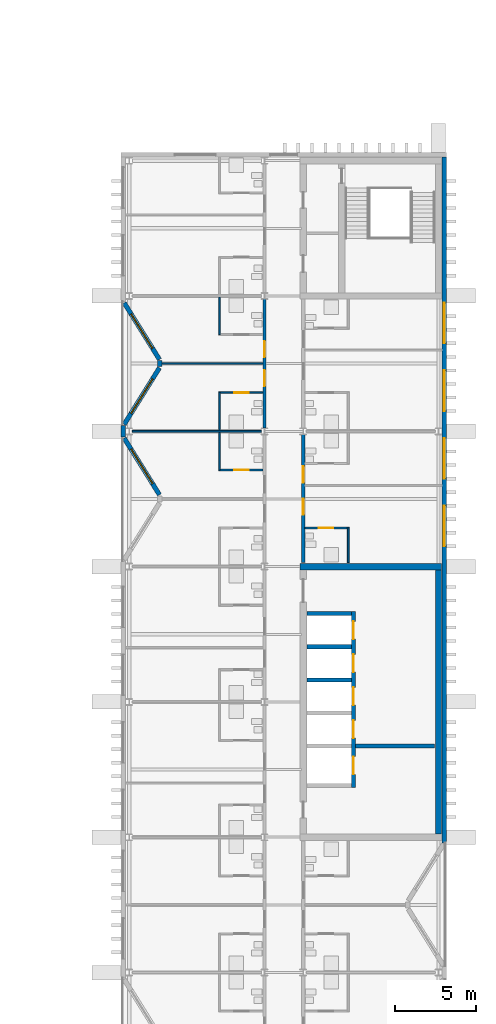
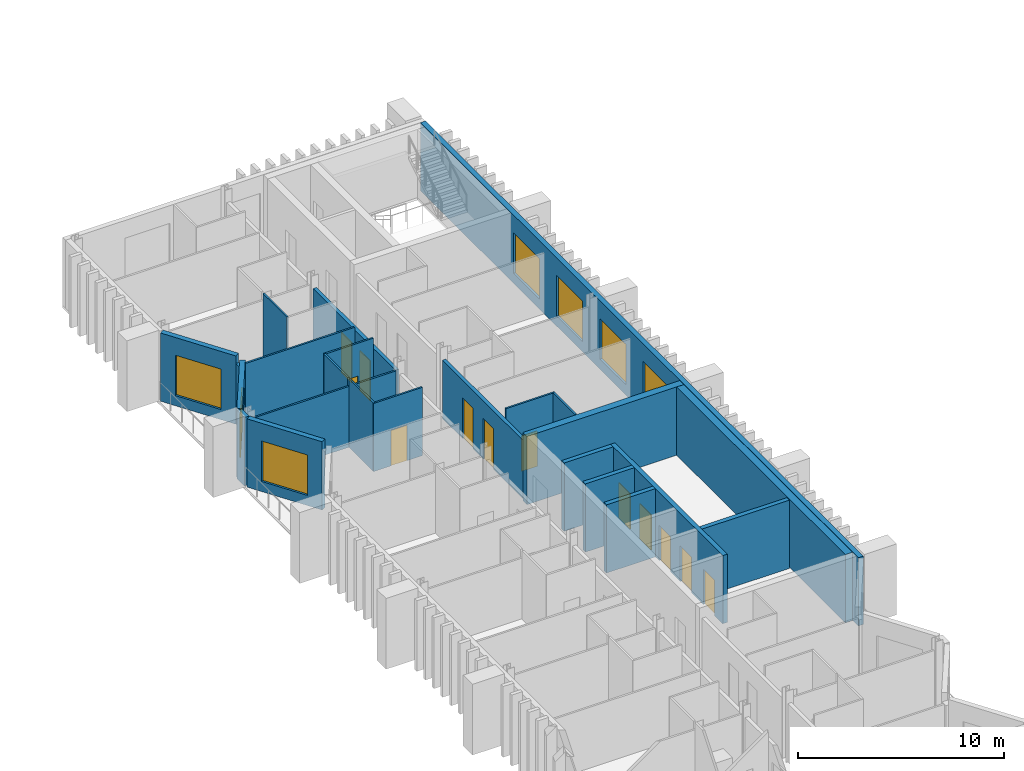
# One storey, part 13 of 21: 24 walls, 12 doors, 7 windows, 19 openings.
"""IFC4 building model written with IfcOpenShell, lengths in metres."""

from ifc_helpers import new_model, si_unit, direction, frame, frame_2d, origin, place, context, subcontext, project, spatial, rectangle, extrude, material, layer, layer_set, type_object, element, fill, save


model = new_model("IFC4")

# Units and contexts
model_context = context("Model", 3, precision=1e-05, world=origin(), true_north=direction((0.0, 1.0)))
body_context = subcontext(model_context, "Body", "Model", "MODEL_VIEW")
ifc_project = project(units=[si_unit("LENGTHUNIT", "METRE"), si_unit("AREAUNIT", "SQUARE_METRE"), si_unit("VOLUMEUNIT", "CUBIC_METRE"), si_unit("PLANEANGLEUNIT", "RADIAN"), si_unit("MASSUNIT", "GRAM", prefix="KILO")], contexts=[model_context])

# Site, building, storey
site_placement = place(None, origin())
site = spatial("IfcSite", under=ifc_project, at=site_placement, CompositionType="ELEMENT")
building_placement = place(site_placement, origin())
building = spatial("IfcBuilding", under=site, at=building_placement, Name="Cresset Court Congress Hotel", CompositionType="ELEMENT")
storey_placement = place(building_placement, frame((0.0, 0.0, 22.800048828125)))
storey = spatial("IfcBuildingStorey", under=building, at=storey_placement, Name="L05", CompositionType="ELEMENT", Elevation=22.800048828125)

# Wall, openings, doors
ifc_material_1 = material(Name="Gypsum board partition")
ifc_layer_1 = layer(ifc_material_1, 0.199951171875)
ifc_layer_set_1 = layer_set([ifc_layer_1], Name="Corridor wall 200")
wall_type_1 = type_object("IfcWallType", Name="Corridor wall 200", PredefinedType="PARTITIONING", material=ifc_layer_set_1)
wall_1_placement = place(storey_placement, frame((165.60009765625, 50.60009765625, 0.0), z_axis=(0.0, 0.0, 1.0), x_axis=(0.0, 1.0, 0.0)))
wall_1 = element("IfcWall", 1, at=wall_1_placement, inside=storey, type_object=wall_type_1, Name="A.wl.L05.076", PredefinedType="PARTITIONING", context=body_context, shape_type="SweptSolid", body=[
    extrude(rectangle(XDim=8.0, YDim=0.199951171875, at=frame_2d((4.0, 0.0))), origin(), (0.0, 0.0, 1.0), 3.449951171875),
])
opening_1_placement = place(wall_1_placement, frame((2.60009765625, 0.0, 0.0)))
opening_1 = element("IfcOpeningElement", 2, at=opening_1_placement, cuts=wall_1, Name="Opening DA-05-26", PredefinedType="OPENING", context=body_context, shape_type="SweptSolid", body=[
    extrude(rectangle(XDim=1.0, YDim=2.39990234375, at=frame_2d((0.5, 1.199951171875))), frame((0.0, 0.10986328125, 0.0), z_axis=(0.0, -1.0, 0.0), x_axis=(1.0, 0.0, 0.0)), (0.0, 0.0, 1.0), 0.219970703125),
])
opening_2_placement = place(wall_1_placement, frame((4.39990234375, 0.0, 0.0)))
opening_2 = element("IfcOpeningElement", 3, at=opening_2_placement, cuts=wall_1, Name="Opening DA-05-28", PredefinedType="OPENING", context=body_context, shape_type="SweptSolid", body=[
    extrude(rectangle(XDim=1.0, YDim=2.39990234375, at=frame_2d((0.5, 1.199951171875))), frame((0.0, 0.10986328125, 0.0), z_axis=(0.0, -1.0, 0.0), x_axis=(1.0, 0.0, 0.0)), (0.0, 0.0, 1.0), 0.219970703125),
])
ifc_material_2 = material(Name="timber", Category="wood")
door_type_1 = type_object("IfcDoorType", Name="Guest-room entry door 1000x2400 FD30S", OperationType="SINGLE_SWING_LEFT", PredefinedType="DOOR", material=ifc_material_2)
door_1_placement = place(opening_1_placement, origin())
door_1 = element("IfcDoor", 4, at=door_1_placement, inside=storey, type_object=door_type_1, Name="Door DA-05-26", OperationType="SINGLE_SWING_RIGHT", OverallHeight=2.39990234375, OverallWidth=1.0, PredefinedType="DOOR", context=body_context, shape_type="SweptSolid", body=[
    extrude(rectangle(XDim=1.0, YDim=2.39990234375, at=frame_2d((0.5, 1.199951171875))), frame((0.0, 0.02490234375, 0.0), z_axis=(0.0, -1.0, 0.0), x_axis=(1.0, 0.0, 0.0)), (0.0, 0.0, 1.0), 0.050048828125),
])
fill(opening_1, door_1)
door_2_placement = place(opening_2_placement, origin())
door_2 = element("IfcDoor", 5, at=door_2_placement, inside=storey, type_object=door_type_1, Name="Door DA-05-28", OperationType="SINGLE_SWING_LEFT", OverallHeight=2.39990234375, OverallWidth=1.0, PredefinedType="DOOR", context=body_context, shape_type="SweptSolid", body=[
    extrude(rectangle(XDim=1.0, YDim=2.39990234375, at=frame_2d((0.5, 1.199951171875))), frame((0.0, 0.02490234375, 0.0), z_axis=(0.0, -1.0, 0.0), x_axis=(1.0, 0.0, 0.0)), (0.0, 0.0, 1.0), 0.050048828125),
])
fill(opening_2, door_2)

wall_2_placement = place(storey_placement, frame((168.0, 42.25, 0.0), z_axis=(0.0, 0.0, 1.0), x_axis=(0.0, 1.0, 0.0)))
wall_2 = element("IfcWall", 6, at=wall_2_placement, inside=storey, type_object=wall_type_1, Name="A.wl.L05.080", PredefinedType="PARTITIONING", context=body_context, shape_type="SweptSolid", body=[
    extrude(rectangle(XDim=7.949951171875, YDim=0.199951171875, at=frame_2d((3.97509765625, 0.0))), origin(), (0.0, 0.0, 1.0), 3.449951171875),
])
opening_3_placement = place(wall_2_placement, frame((2.969970703125, 0.0, 0.0)))
opening_3 = element("IfcOpeningElement", 7, at=opening_3_placement, cuts=wall_2, Name="Opening DA-05-42", PredefinedType="OPENING", context=body_context, shape_type="SweptSolid", body=[
    extrude(rectangle(XDim=1.0, YDim=2.39990234375, at=frame_2d((0.5, 1.199951171875))), frame((0.0, 0.10986328125, 0.0), z_axis=(0.0, -1.0, 0.0), x_axis=(1.0, 0.0, 0.0)), (0.0, 0.0, 1.0), 0.219970703125),
])
opening_4_placement = place(wall_2_placement, frame((4.969970703125, 0.0, 0.0)))
opening_4 = element("IfcOpeningElement", 8, at=opening_4_placement, cuts=wall_2, Name="Opening DA-05-44", PredefinedType="OPENING", context=body_context, shape_type="SweptSolid", body=[
    extrude(rectangle(XDim=1.0, YDim=2.39990234375, at=frame_2d((0.5, 1.199951171875))), frame((0.0, 0.10986328125, 0.0), z_axis=(0.0, -1.0, 0.0), x_axis=(1.0, 0.0, 0.0)), (0.0, 0.0, 1.0), 0.219970703125),
])
door_3_placement = place(opening_3_placement, origin())
door_3 = element("IfcDoor", 9, at=door_3_placement, inside=storey, type_object=door_type_1, Name="Door DA-05-42", OperationType="SINGLE_SWING_RIGHT", OverallHeight=2.39990234375, OverallWidth=1.0, PredefinedType="DOOR", context=body_context, shape_type="SweptSolid", body=[
    extrude(rectangle(XDim=1.0, YDim=2.39990234375, at=frame_2d((0.5, 1.199951171875))), frame((0.0, 0.02490234375, 0.0), z_axis=(0.0, -1.0, 0.0), x_axis=(1.0, 0.0, 0.0)), (0.0, 0.0, 1.0), 0.050048828125),
])
fill(opening_3, door_3)
door_4_placement = place(opening_4_placement, origin())
door_4 = element("IfcDoor", 10, at=door_4_placement, inside=storey, type_object=door_type_1, Name="Door DA-05-44", OperationType="SINGLE_SWING_LEFT", OverallHeight=2.39990234375, OverallWidth=1.0, PredefinedType="DOOR", context=body_context, shape_type="SweptSolid", body=[
    extrude(rectangle(XDim=1.0, YDim=2.39990234375, at=frame_2d((0.5, 1.199951171875))), frame((0.0, 0.02490234375, 0.0), z_axis=(0.0, -1.0, 0.0), x_axis=(1.0, 0.0, 0.0)), (0.0, 0.0, 1.0), 0.050048828125),
])
fill(opening_4, door_4)

# Wall
ifc_material_3 = material(Name="Gypsum board partition")
ifc_layer_2 = layer(ifc_material_3, 0.10009765625)
ifc_layer_set_2 = layer_set([ifc_layer_2], Name="En-suite wall 100")
wall_type_2 = type_object("IfcWallType", Name="En-suite wall 100", PredefinedType="PARTITIONING", material=ifc_layer_set_2)
wall_3_placement = place(storey_placement, frame((162.800048828125, 48.0, 0.0), z_axis=(0.0, 0.0, 1.0), x_axis=(0.0, 1.0, 0.0)))
element("IfcWall", 11, at=wall_3_placement, inside=storey, type_object=wall_type_2, Name="A.wl.L05.023", PredefinedType="PARTITIONING", context=body_context, shape_type="SweptSolid", body=[
    extrude(rectangle(XDim=2.324951171875, YDim=0.10009765625, at=frame_2d((1.16259765625, 0.0))), origin(), (0.0, 0.0, 1.0), 4.050048828125),
])

# Wall, opening, door
wall_4_placement = place(storey_placement, frame((162.75, 48.0, 0.0), z_axis=(0.0, 0.0, 1.0), x_axis=(1.0, 0.0, 0.0)))
wall_4 = element("IfcWall", 12, at=wall_4_placement, inside=storey, type_object=wall_type_2, Name="A.wl.L05.024", PredefinedType="PARTITIONING", context=body_context, shape_type="SweptSolid", body=[
    extrude(rectangle(XDim=2.75, YDim=0.10009765625, at=frame_2d((1.375, 0.0))), origin(), (0.0, 0.0, 1.0), 4.050048828125),
])
opening_5_placement = place(wall_4_placement, frame((0.97998046875, 0.0, 0.0)))
opening_5 = element("IfcOpeningElement", 13, at=opening_5_placement, cuts=wall_4, Name="Opening DA-05-23", PredefinedType="OPENING", context=body_context, shape_type="SweptSolid", body=[
    extrude(rectangle(XDim=0.89990234375, YDim=2.10009765625, at=frame_2d((0.449951171875, 1.050048828125))), frame((0.0, 0.06005859375, 0.0), z_axis=(0.0, -1.0, 0.0), x_axis=(1.0, 0.0, 0.0)), (0.0, 0.0, 1.0), 0.1201171875),
])
ifc_material_4 = material(Name="timber", Category="wood")
door_type_2 = type_object("IfcDoorType", Name="En-suite door 900x2100", OperationType="SINGLE_SWING_LEFT", PredefinedType="DOOR", material=ifc_material_4)
door_5_placement = place(opening_5_placement, origin())
door_5 = element("IfcDoor", 14, at=door_5_placement, inside=storey, type_object=door_type_2, Name="Door DA-05-23", OperationType="SINGLE_SWING_LEFT", OverallHeight=2.10009765625, OverallWidth=0.89990234375, PredefinedType="DOOR", context=body_context, shape_type="SweptSolid", body=[
    extrude(rectangle(XDim=0.89990234375, YDim=2.10009765625, at=frame_2d((0.449951171875, 1.050048828125))), frame((0.0, 0.02490234375, 0.0), z_axis=(0.0, -1.0, 0.0), x_axis=(1.0, 0.0, 0.0)), (0.0, 0.0, 1.0), 0.050048828125),
])
fill(opening_5, door_5)

# Wall
wall_5_placement = place(storey_placement, frame((162.800048828125, 50.47509765625, 0.0), z_axis=(0.0, 0.0, 1.0), x_axis=(0.0, 1.0, 0.0)))
element("IfcWall", 15, at=wall_5_placement, inside=storey, type_object=wall_type_2, Name="A.wl.L05.025", PredefinedType="PARTITIONING", context=body_context, shape_type="SweptSolid", body=[
    extrude(rectangle(XDim=2.324951171875, YDim=0.10009765625, at=frame_2d((1.16259765625, 0.0))), origin(), (0.0, 0.0, 1.0), 4.050048828125),
])

# Wall, opening, door
wall_6_placement = place(storey_placement, frame((162.75, 52.800048828125, 0.0), z_axis=(0.0, 0.0, 1.0), x_axis=(1.0, 0.0, 0.0)))
wall_6 = element("IfcWall", 16, at=wall_6_placement, inside=storey, type_object=wall_type_2, Name="A.wl.L05.026", PredefinedType="PARTITIONING", context=body_context, shape_type="SweptSolid", body=[
    extrude(rectangle(XDim=2.75, YDim=0.10009765625, at=frame_2d((1.375, 0.0))), origin(), (0.0, 0.0, 1.0), 4.050048828125),
])
opening_6_placement = place(wall_6_placement, frame((0.97998046875, 0.0, 0.0)))
opening_6 = element("IfcOpeningElement", 17, at=opening_6_placement, cuts=wall_6, Name="Opening DA-05-25", PredefinedType="OPENING", context=body_context, shape_type="SweptSolid", body=[
    extrude(rectangle(XDim=0.89990234375, YDim=2.10009765625, at=frame_2d((0.449951171875, 1.050048828125))), frame((0.0, 0.06005859375, 0.0), z_axis=(0.0, -1.0, 0.0), x_axis=(1.0, 0.0, 0.0)), (0.0, 0.0, 1.0), 0.1201171875),
])
door_6_placement = place(opening_6_placement, origin())
door_6 = element("IfcDoor", 18, at=door_6_placement, inside=storey, type_object=door_type_2, Name="Door DA-05-25", OperationType="SINGLE_SWING_RIGHT", OverallHeight=2.10009765625, OverallWidth=0.89990234375, PredefinedType="DOOR", context=body_context, shape_type="SweptSolid", body=[
    extrude(rectangle(XDim=0.89990234375, YDim=2.10009765625, at=frame_2d((0.449951171875, 1.050048828125))), frame((0.0, 0.02490234375, 0.0), z_axis=(0.0, -1.0, 0.0), x_axis=(1.0, 0.0, 0.0)), (0.0, 0.0, 1.0), 0.050048828125),
])
fill(opening_6, door_6)

# Walls
wall_7_placement = place(storey_placement, frame((162.800048828125, 56.39990234375, 0.0), z_axis=(0.0, 0.0, 1.0), x_axis=(0.0, 1.0, 0.0)))
element("IfcWall", 19, at=wall_7_placement, inside=storey, type_object=wall_type_2, Name="A.wl.L05.027", PredefinedType="PARTITIONING", context=body_context, shape_type="SweptSolid", body=[
    extrude(rectangle(XDim=2.3251953125, YDim=0.10009765625, at=frame_2d((1.16259765625, 0.0))), origin(), (0.0, 0.0, 1.0), 4.050048828125),
])
wall_8_placement = place(storey_placement, frame((170.800048828125, 42.25, 0.0), z_axis=(0.0, 0.0, 1.0), x_axis=(0.0, 1.0, 0.0)))
element("IfcWall", 20, at=wall_8_placement, inside=storey, type_object=wall_type_2, Name="A.wl.L05.041", PredefinedType="PARTITIONING", context=body_context, shape_type="SweptSolid", body=[
    extrude(rectangle(XDim=2.14990234375, YDim=0.10009765625, at=frame_2d((1.074951171875, 0.0))), origin(), (0.0, 0.0, 1.0), 4.050048828125),
])

# Wall, opening, door
wall_9_placement = place(storey_placement, frame((170.85009765625, 44.39990234375, 0.0), z_axis=(0.0, 0.0, 1.0), x_axis=(-1.0, 0.0, 0.0)))
wall_9 = element("IfcWall", 21, at=wall_9_placement, inside=storey, type_object=wall_type_2, Name="A.wl.L05.042", PredefinedType="PARTITIONING", context=body_context, shape_type="SweptSolid", body=[
    extrude(rectangle(XDim=2.75, YDim=0.10009765625, at=frame_2d((1.375, 0.0))), origin(), (0.0, 0.0, 1.0), 4.050048828125),
])
opening_7_placement = place(wall_9_placement, frame((0.97998046875, 0.0, 0.0)))
opening_7 = element("IfcOpeningElement", 22, at=opening_7_placement, cuts=wall_9, Name="Opening DA-05-41", PredefinedType="OPENING", context=body_context, shape_type="SweptSolid", body=[
    extrude(rectangle(XDim=0.89990234375, YDim=2.10009765625, at=frame_2d((0.449951171875, 1.050048828125))), frame((0.0, 0.06005859375, 0.0), z_axis=(0.0, -1.0, 0.0), x_axis=(1.0, 0.0, 0.0)), (0.0, 0.0, 1.0), 0.1201171875),
])
door_7_placement = place(opening_7_placement, origin())
door_7 = element("IfcDoor", 23, at=door_7_placement, inside=storey, type_object=door_type_2, Name="Door DA-05-41", OperationType="SINGLE_SWING_RIGHT", OverallHeight=2.10009765625, OverallWidth=0.89990234375, PredefinedType="DOOR", context=body_context, shape_type="SweptSolid", body=[
    extrude(rectangle(XDim=0.89990234375, YDim=2.10009765625, at=frame_2d((0.449951171875, 1.050048828125))), frame((0.0, 0.02490234375, 0.0), z_axis=(0.0, -1.0, 0.0), x_axis=(1.0, 0.0, 0.0)), (0.0, 0.0, 1.0), 0.050048828125),
])
fill(opening_7, door_7)

# Wall, opening, window
ifc_material_5 = material(Name="Precast concrete C50", Category="concrete")
ifc_layer_3 = layer(ifc_material_5, 0.280029296875)
ifc_layer_set_3 = layer_set([ifc_layer_3], Name="External wall 280")
wall_type_3 = type_object("IfcWallType", Name="External wall 280", PredefinedType="SOLIDWALL", material=ifc_layer_set_3)
wall_10_placement = place(storey_placement, frame((159.07861328125, 46.458984375, 0.0), z_axis=(0.0, 0.0, 1.0), x_axis=(-0.529018946142, 0.848610013271, 0.0)))
wall_10 = element("IfcWall", 24, at=wall_10_placement, inside=storey, type_object=wall_type_3, Name="A.ew.L05.Wn.5.1", PredefinedType="SOLIDWALL", context=body_context, shape_type="SweptSolid", body=[
    extrude(rectangle(XDim=4.144287109375, YDim=0.280029296875, at=frame_2d((2.072265625, 0.0))), origin(), (0.0, 0.0, 1.0), 4.050048828125),
])
opening_8_placement = place(wall_10_placement, frame((0.812255859375, 0.0, 0.60009765625)))
opening_8 = element("IfcOpeningElement", 25, at=opening_8_placement, cuts=wall_10, Name="Opening NA-05-12", PredefinedType="OPENING", context=body_context, shape_type="SweptSolid", body=[
    extrude(rectangle(XDim=2.52001953125, YDim=2.39990234375, at=frame_2d((1.260009765625, 1.199951171875))), frame((0.0, 0.14990234375, 0.0), z_axis=(0.0, -1.0, 0.0), x_axis=(1.0, 0.0, 0.0)), (0.0, 0.0, 1.0), 0.300048828125),
])
ifc_material_6 = material(Name="Aluminium and glass", Category="aluminium")
window_type = type_object("IfcWindowType", Name="Window 2520x2400", PartitioningType="SINGLE_PANEL", PredefinedType="WINDOW", material=ifc_material_6)
window_1_placement = place(opening_8_placement, origin())
window_1 = element("IfcWindow", 26, at=window_1_placement, inside=storey, type_object=window_type, Name="Window NA-05-12", OverallHeight=2.39990234375, OverallWidth=2.52001953125, PartitioningType="SINGLE_PANEL", PredefinedType="WINDOW", context=body_context, shape_type="SweptSolid", body=[
    extrude(rectangle(XDim=2.52001953125, YDim=2.39990234375, at=frame_2d((1.260009765625, 1.199951171875))), frame((0.0, 0.030029296875, 0.0), z_axis=(0.0, -1.0, 0.0), x_axis=(1.0, 0.0, 0.0)), (0.0, 0.0, 1.0), 0.06005859375),
])
fill(opening_8, window_1)

# Wall
wall_11_placement = place(storey_placement, frame((156.840087890625, 50.050048828125, 0.0), z_axis=(0.0, 0.0, 1.0), x_axis=(0.0, 1.0, 0.0)))
element("IfcWall", 27, at=wall_11_placement, inside=storey, type_object=wall_type_3, Name="A.ew.L05.W.4", PredefinedType="SOLIDWALL", context=body_context, shape_type="SweptSolid", body=[
    extrude(rectangle(XDim=0.699951171875, YDim=0.280029296875, at=frame_2d((0.35009765625, 0.0))), origin(), (0.0, 0.0, 1.0), 4.050048828125),
])

# Wall, opening, window
wall_12_placement = place(storey_placement, frame((156.88623046875, 50.82421875, 0.0), z_axis=(0.0, 0.0, 1.0), x_axis=(0.529018946142, 0.848610013271, 0.0)))
wall_12 = element("IfcWall", 28, at=wall_12_placement, inside=storey, type_object=wall_type_3, Name="A.ew.L05.Wn.6.0", PredefinedType="SOLIDWALL", context=body_context, shape_type="SweptSolid", body=[
    extrude(rectangle(XDim=4.144287109375, YDim=0.280029296875, at=frame_2d((2.072265625, 0.0))), origin(), (0.0, 0.0, 1.0), 4.050048828125),
])
opening_9_placement = place(wall_12_placement, frame((0.812255859375, 0.0, 0.60009765625)))
opening_9 = element("IfcOpeningElement", 29, at=opening_9_placement, cuts=wall_12, Name="Opening NA-05-13", PredefinedType="OPENING", context=body_context, shape_type="SweptSolid", body=[
    extrude(rectangle(XDim=2.52001953125, YDim=2.39990234375, at=frame_2d((1.260009765625, 1.199951171875))), frame((0.0, 0.14990234375, 0.0), z_axis=(0.0, -1.0, 0.0), x_axis=(1.0, 0.0, 0.0)), (0.0, 0.0, 1.0), 0.300048828125),
])
window_2_placement = place(opening_9_placement, origin())
window_2 = element("IfcWindow", 30, at=window_2_placement, inside=storey, type_object=window_type, Name="Window NA-05-13", OverallHeight=2.39990234375, OverallWidth=2.52001953125, PartitioningType="SINGLE_PANEL", PredefinedType="WINDOW", context=body_context, shape_type="SweptSolid", body=[
    extrude(rectangle(XDim=2.52001953125, YDim=2.39990234375, at=frame_2d((1.260009765625, 1.199951171875))), frame((0.0, 0.030029296875, 0.0), z_axis=(0.0, -1.0, 0.0), x_axis=(1.0, 0.0, 0.0)), (0.0, 0.0, 1.0), 0.06005859375),
])
fill(opening_9, window_2)

wall_13_placement = place(storey_placement, frame((159.07861328125, 54.85888671875, 0.0), z_axis=(0.0, 0.0, 1.0), x_axis=(-0.528992500338, 0.848626498871, 0.0)))
wall_13 = element("IfcWall", 31, at=wall_13_placement, inside=storey, type_object=wall_type_3, Name="A.ew.L05.Wn.6.1", PredefinedType="SOLIDWALL", context=body_context, shape_type="SweptSolid", body=[
    extrude(rectangle(XDim=4.14453125, YDim=0.280029296875, at=frame_2d((2.072265625, 0.0))), origin(), (0.0, 0.0, 1.0), 4.050048828125),
])
opening_10_placement = place(wall_13_placement, frame((0.812255859375, 0.0, 0.60009765625)))
opening_10 = element("IfcOpeningElement", 32, at=opening_10_placement, cuts=wall_13, Name="Opening NA-05-14", PredefinedType="OPENING", context=body_context, shape_type="SweptSolid", body=[
    extrude(rectangle(XDim=2.52001953125, YDim=2.39990234375, at=frame_2d((1.260009765625, 1.199951171875))), frame((0.0, 0.14990234375, 0.0), z_axis=(0.0, -1.0, 0.0), x_axis=(1.0, 0.0, 0.0)), (0.0, 0.0, 1.0), 0.300048828125),
])
window_3_placement = place(opening_10_placement, origin())
window_3 = element("IfcWindow", 33, at=window_3_placement, inside=storey, type_object=window_type, Name="Window NA-05-14", OverallHeight=2.39990234375, OverallWidth=2.52001953125, PartitioningType="SINGLE_PANEL", PredefinedType="WINDOW", context=body_context, shape_type="SweptSolid", body=[
    extrude(rectangle(XDim=2.52001953125, YDim=2.39990234375, at=frame_2d((1.260009765625, 1.199951171875))), frame((0.0, 0.030029296875, 0.0), z_axis=(0.0, -1.0, 0.0), x_axis=(1.0, 0.0, 0.0)), (0.0, 0.0, 1.0), 0.06005859375),
])
fill(opening_10, window_3)

# Wall
wall_14_placement = place(storey_placement, frame((159.099609375, 54.4150390625, 0.0), z_axis=(0.0, 0.0, 1.0), x_axis=(0.0, 1.0, 0.0)))
element("IfcWall", 34, at=wall_14_placement, inside=storey, type_object=wall_type_3, Name="A.ew.L05.Wn.6.2", PredefinedType="SOLIDWALL", context=body_context, shape_type="SweptSolid", body=[
    extrude(rectangle(XDim=0.369873046875, YDim=0.280029296875, at=frame_2d((0.18505859375, 0.0))), origin(), (0.0, 0.0, 1.0), 3.60400390625),
])

# Wall, openings, windows
wall_15_placement = place(storey_placement, frame((176.760009765625, 24.85009765625, 0.0), z_axis=(0.0, 0.0, 1.0), x_axis=(0.0, 1.0, 0.0)))
wall_15 = element("IfcWall", 35, at=wall_15_placement, inside=storey, type_object=wall_type_3, Name="A.ew.L05.E.3", PredefinedType="SOLIDWALL", context=body_context, shape_type="SweptSolid", body=[
    extrude(rectangle(XDim=42.56982421875, YDim=0.280029296875, at=frame_2d((21.284912109375, 0.0))), origin(), (0.0, 0.0, 1.0), 4.050048828125),
])
opening_11_placement = place(wall_15_placement, frame((18.409912109375, 0.0, 0.60009765625)))
opening_11 = element("IfcOpeningElement", 36, at=opening_11_placement, cuts=wall_15, Name="Opening NA-05-21", PredefinedType="OPENING", context=body_context, shape_type="SweptSolid", body=[
    extrude(rectangle(XDim=2.52001953125, YDim=2.39990234375, at=frame_2d((1.260009765625, 1.199951171875))), frame((0.0, 0.14990234375, 0.0), z_axis=(0.0, -1.0, 0.0), x_axis=(1.0, 0.0, 0.0)), (0.0, 0.0, 1.0), 0.300048828125),
])
opening_12_placement = place(wall_15_placement, frame((22.610107421875, 0.0, 0.60009765625)))
opening_12 = element("IfcOpeningElement", 37, at=opening_12_placement, cuts=wall_15, Name="Opening NA-05-22", PredefinedType="OPENING", context=body_context, shape_type="SweptSolid", body=[
    extrude(rectangle(XDim=2.52001953125, YDim=2.39990234375, at=frame_2d((1.260009765625, 1.199951171875))), frame((0.0, 0.14990234375, 0.0), z_axis=(0.0, -1.0, 0.0), x_axis=(1.0, 0.0, 0.0)), (0.0, 0.0, 1.0), 0.300048828125),
])
opening_13_placement = place(wall_15_placement, frame((26.81005859375, 0.0, 0.60009765625)))
opening_13 = element("IfcOpeningElement", 38, at=opening_13_placement, cuts=wall_15, Name="Opening NA-05-23", PredefinedType="OPENING", context=body_context, shape_type="SweptSolid", body=[
    extrude(rectangle(XDim=2.52001953125, YDim=2.39990234375, at=frame_2d((1.260009765625, 1.199951171875))), frame((0.0, 0.14990234375, 0.0), z_axis=(0.0, -1.0, 0.0), x_axis=(1.0, 0.0, 0.0)), (0.0, 0.0, 1.0), 0.300048828125),
])
opening_14_placement = place(wall_15_placement, frame((31.010009765625, 0.0, 0.60009765625)))
opening_14 = element("IfcOpeningElement", 39, at=opening_14_placement, cuts=wall_15, Name="Opening NA-05-24", PredefinedType="OPENING", context=body_context, shape_type="SweptSolid", body=[
    extrude(rectangle(XDim=2.52001953125, YDim=2.39990234375, at=frame_2d((1.260009765625, 1.199951171875))), frame((0.0, 0.14990234375, 0.0), z_axis=(0.0, -1.0, 0.0), x_axis=(1.0, 0.0, 0.0)), (0.0, 0.0, 1.0), 0.300048828125),
])
window_4_placement = place(opening_11_placement, origin())
window_4 = element("IfcWindow", 40, at=window_4_placement, inside=storey, type_object=window_type, Name="Window NA-05-21", OverallHeight=2.39990234375, OverallWidth=2.52001953125, PartitioningType="SINGLE_PANEL", PredefinedType="WINDOW", context=body_context, shape_type="SweptSolid", body=[
    extrude(rectangle(XDim=2.52001953125, YDim=2.39990234375, at=frame_2d((1.260009765625, 1.199951171875))), frame((0.0, 0.030029296875, 0.0), z_axis=(0.0, -1.0, 0.0), x_axis=(1.0, 0.0, 0.0)), (0.0, 0.0, 1.0), 0.06005859375),
])
fill(opening_11, window_4)
window_5_placement = place(opening_12_placement, origin())
window_5 = element("IfcWindow", 41, at=window_5_placement, inside=storey, type_object=window_type, Name="Window NA-05-22", OverallHeight=2.39990234375, OverallWidth=2.52001953125, PartitioningType="SINGLE_PANEL", PredefinedType="WINDOW", context=body_context, shape_type="SweptSolid", body=[
    extrude(rectangle(XDim=2.52001953125, YDim=2.39990234375, at=frame_2d((1.260009765625, 1.199951171875))), frame((0.0, 0.030029296875, 0.0), z_axis=(0.0, -1.0, 0.0), x_axis=(1.0, 0.0, 0.0)), (0.0, 0.0, 1.0), 0.06005859375),
])
fill(opening_12, window_5)
window_6_placement = place(opening_13_placement, origin())
window_6 = element("IfcWindow", 42, at=window_6_placement, inside=storey, type_object=window_type, Name="Window NA-05-23", OverallHeight=2.39990234375, OverallWidth=2.52001953125, PartitioningType="SINGLE_PANEL", PredefinedType="WINDOW", context=body_context, shape_type="SweptSolid", body=[
    extrude(rectangle(XDim=2.52001953125, YDim=2.39990234375, at=frame_2d((1.260009765625, 1.199951171875))), frame((0.0, 0.030029296875, 0.0), z_axis=(0.0, -1.0, 0.0), x_axis=(1.0, 0.0, 0.0)), (0.0, 0.0, 1.0), 0.06005859375),
])
fill(opening_13, window_6)
window_7_placement = place(opening_14_placement, origin())
window_7 = element("IfcWindow", 43, at=window_7_placement, inside=storey, type_object=window_type, Name="Window NA-05-24", OverallHeight=2.39990234375, OverallWidth=2.52001953125, PartitioningType="SINGLE_PANEL", PredefinedType="WINDOW", context=body_context, shape_type="SweptSolid", body=[
    extrude(rectangle(XDim=2.52001953125, YDim=2.39990234375, at=frame_2d((1.260009765625, 1.199951171875))), frame((0.0, 0.030029296875, 0.0), z_axis=(0.0, -1.0, 0.0), x_axis=(1.0, 0.0, 0.0)), (0.0, 0.0, 1.0), 0.06005859375),
])
fill(opening_14, window_7)

# Walls
ifc_material_7 = material(Name="Gypsum board partition")
ifc_layer_4 = layer(ifc_material_7, 0.10009765625)
ifc_layer_set_4 = layer_set([ifc_layer_4], Name="Guest-room partition 100")
wall_type_4 = type_object("IfcWallType", Name="Guest-room partition 100", PredefinedType="PARTITIONING", material=ifc_layer_set_4)
wall_16_placement = place(storey_placement, frame((157.39990234375, 50.39990234375, 0.0), z_axis=(0.0, 0.0, 1.0), x_axis=(1.0, 0.0, 0.0)))
element("IfcWall", 44, at=wall_16_placement, inside=storey, type_object=wall_type_4, Name="A.wl.L05.054", PredefinedType="PARTITIONING", context=body_context, shape_type="SweptSolid", body=[
    extrude(rectangle(XDim=8.0, YDim=0.10009765625, at=frame_2d((4.0, 0.0))), origin(), (0.0, 0.0, 1.0), 3.60400390625),
])
wall_17_placement = place(storey_placement, frame((159.23974609375, 54.60009765625, 0.0), z_axis=(0.0, 0.0, 1.0), x_axis=(1.0, 0.0, 0.0)))
element("IfcWall", 45, at=wall_17_placement, inside=storey, type_object=wall_type_4, Name="A.wl.L05.064", PredefinedType="PARTITIONING", context=body_context, shape_type="SweptSolid", body=[
    extrude(rectangle(XDim=6.26025390625, YDim=0.10009765625, at=frame_2d((3.130126953125, 0.0))), origin(), (0.0, 0.0, 1.0), 3.60400390625),
])
ifc_material_8 = material(Name="Concrete C50", Category="concrete")
ifc_layer_5 = layer(ifc_material_8, 0.39990234375)
ifc_layer_set_5 = layer_set([ifc_layer_5], Name="Lift core wall 400")
wall_type_5 = type_object("IfcWallType", Name="Lift core wall 400", PredefinedType="SOLIDWALL", material=ifc_layer_set_5)
wall_18_placement = place(storey_placement, frame((167.800048828125, 42.0, 0.0), z_axis=(0.0, 0.0, 1.0), x_axis=(1.0, 0.0, 0.0)))
element("IfcWall", 46, at=wall_18_placement, inside=storey, type_object=wall_type_5, Name="A.cw.LC-A.L05.N", PredefinedType="SOLIDWALL", context=body_context, shape_type="SweptSolid", body=[
    extrude(rectangle(XDim=8.800048828125, YDim=0.39990234375, at=frame_2d((4.39990234375, 0.0))), origin(), (0.0, 0.0, 1.0), 4.050048828125),
])
wall_19_placement = place(storey_placement, frame((176.39990234375, 25.39990234375, 0.0), z_axis=(0.0, 0.0, 1.0), x_axis=(0.0, 1.0, 0.0)))
element("IfcWall", 47, at=wall_19_placement, inside=storey, type_object=wall_type_5, Name="A.cw.LC-A.L05.E", PredefinedType="SOLIDWALL", context=body_context, shape_type="SweptSolid", body=[
    extrude(rectangle(XDim=16.400146484375, YDim=0.39990234375, at=frame_2d((8.2001953125, 0.0))), origin(), (0.0, 0.0, 1.0), 4.050048828125),
])

# Wall, openings, doors
ifc_material_9 = material(Name="Concrete C50", Category="concrete")
ifc_layer_6 = layer(ifc_material_9, 0.25)
ifc_layer_set_6 = layer_set([ifc_layer_6], Name="Lift shaft wall 250")
wall_type_6 = type_object("IfcWallType", Name="Lift shaft wall 250", PredefinedType="SOLIDWALL", material=ifc_layer_set_6)
wall_20_placement = place(storey_placement, frame((171.125, 28.300048828125, 0.0), z_axis=(0.0, 0.0, 1.0), x_axis=(0.0, 1.0, 0.0)))
wall_20 = element("IfcWall", 48, at=wall_20_placement, inside=storey, type_object=wall_type_6, Name="A.wl.L05.086", PredefinedType="SOLIDWALL", context=body_context, shape_type="SweptSolid", body=[
    extrude(rectangle(XDim=10.89990234375, YDim=0.25, at=frame_2d((5.449951171875, 0.0))), origin(), (0.0, 0.0, 1.0), 4.050048828125),
])
opening_15_placement = place(wall_20_placement, frame((0.800048828125, 0.0, 0.0)))
opening_15 = element("IfcOpeningElement", 49, at=opening_15_placement, cuts=wall_20, Name="Opening LD-A1-05", PredefinedType="OPENING", context=body_context, shape_type="SweptSolid", body=[
    extrude(rectangle(XDim=1.10009765625, YDim=2.10009765625, at=frame_2d((0.550048828125, 1.050048828125))), frame((0.0, 0.135009765625, 0.0), z_axis=(0.0, -1.0, 0.0), x_axis=(1.0, 0.0, 0.0)), (0.0, 0.0, 1.0), 0.27001953125),
])
opening_16_placement = place(wall_20_placement, frame((3.050048828125, 0.0, 0.0)))
opening_16 = element("IfcOpeningElement", 50, at=opening_16_placement, cuts=wall_20, Name="Opening LD-A2-05", PredefinedType="OPENING", context=body_context, shape_type="SweptSolid", body=[
    extrude(rectangle(XDim=1.10009765625, YDim=2.10009765625, at=frame_2d((0.550048828125, 1.050048828125))), frame((0.0, 0.135009765625, 0.0), z_axis=(0.0, -1.0, 0.0), x_axis=(1.0, 0.0, 0.0)), (0.0, 0.0, 1.0), 0.27001953125),
])
opening_17_placement = place(wall_20_placement, frame((5.10009765625, 0.0, 0.0)))
opening_17 = element("IfcOpeningElement", 51, at=opening_17_placement, cuts=wall_20, Name="Opening LD-A3-05", PredefinedType="OPENING", context=body_context, shape_type="SweptSolid", body=[
    extrude(rectangle(XDim=1.10009765625, YDim=2.10009765625, at=frame_2d((0.550048828125, 1.050048828125))), frame((0.0, 0.135009765625, 0.0), z_axis=(0.0, -1.0, 0.0), x_axis=(1.0, 0.0, 0.0)), (0.0, 0.0, 1.0), 0.27001953125),
])
opening_18_placement = place(wall_20_placement, frame((7.14990234375, 0.0, 0.0)))
opening_18 = element("IfcOpeningElement", 52, at=opening_18_placement, cuts=wall_20, Name="Opening LD-A4-05", PredefinedType="OPENING", context=body_context, shape_type="SweptSolid", body=[
    extrude(rectangle(XDim=1.10009765625, YDim=2.10009765625, at=frame_2d((0.550048828125, 1.050048828125))), frame((0.0, 0.135009765625, 0.0), z_axis=(0.0, -1.0, 0.0), x_axis=(1.0, 0.0, 0.0)), (0.0, 0.0, 1.0), 0.27001953125),
])
opening_19_placement = place(wall_20_placement, frame((9.199951171875, 0.0, 0.0)))
opening_19 = element("IfcOpeningElement", 53, at=opening_19_placement, cuts=wall_20, Name="Opening LD-A5-05", PredefinedType="OPENING", context=body_context, shape_type="SweptSolid", body=[
    extrude(rectangle(XDim=1.10009765625, YDim=2.10009765625, at=frame_2d((0.550048828125, 1.050048828125))), frame((0.0, 0.135009765625, 0.0), z_axis=(0.0, -1.0, 0.0), x_axis=(1.0, 0.0, 0.0)), (0.0, 0.0, 1.0), 0.27001953125),
])
ifc_material_10 = material(Name="stainless steel", Category="steel")
door_type_3 = type_object("IfcDoorType", Name="Lift landing door 1100x2100 E 60", OperationType="SLIDING_TO_LEFT", PredefinedType="DOOR", material=ifc_material_10)
door_8_placement = place(opening_15_placement, origin())
door_8 = element("IfcDoor", 54, at=door_8_placement, inside=storey, type_object=door_type_3, Name="Lift landing door LD-A1-05", OperationType="SLIDING_TO_LEFT", OverallHeight=2.10009765625, OverallWidth=1.10009765625, PredefinedType="DOOR", context=body_context, shape_type="SweptSolid", body=[
    extrude(rectangle(XDim=1.10009765625, YDim=2.10009765625, at=frame_2d((0.550048828125, 1.050048828125))), frame((0.0, 0.02490234375, 0.0), z_axis=(0.0, -1.0, 0.0), x_axis=(1.0, 0.0, 0.0)), (0.0, 0.0, 1.0), 0.050048828125),
])
fill(opening_15, door_8)
door_9_placement = place(opening_16_placement, origin())
door_9 = element("IfcDoor", 55, at=door_9_placement, inside=storey, type_object=door_type_3, Name="Lift landing door LD-A2-05", OperationType="SLIDING_TO_LEFT", OverallHeight=2.10009765625, OverallWidth=1.10009765625, PredefinedType="DOOR", context=body_context, shape_type="SweptSolid", body=[
    extrude(rectangle(XDim=1.10009765625, YDim=2.10009765625, at=frame_2d((0.550048828125, 1.050048828125))), frame((0.0, 0.02490234375, 0.0), z_axis=(0.0, -1.0, 0.0), x_axis=(1.0, 0.0, 0.0)), (0.0, 0.0, 1.0), 0.050048828125),
])
fill(opening_16, door_9)
door_10_placement = place(opening_17_placement, origin())
door_10 = element("IfcDoor", 56, at=door_10_placement, inside=storey, type_object=door_type_3, Name="Lift landing door LD-A3-05", OperationType="SLIDING_TO_LEFT", OverallHeight=2.10009765625, OverallWidth=1.10009765625, PredefinedType="DOOR", context=body_context, shape_type="SweptSolid", body=[
    extrude(rectangle(XDim=1.10009765625, YDim=2.10009765625, at=frame_2d((0.550048828125, 1.050048828125))), frame((0.0, 0.02490234375, 0.0), z_axis=(0.0, -1.0, 0.0), x_axis=(1.0, 0.0, 0.0)), (0.0, 0.0, 1.0), 0.050048828125),
])
fill(opening_17, door_10)
door_11_placement = place(opening_18_placement, origin())
door_11 = element("IfcDoor", 57, at=door_11_placement, inside=storey, type_object=door_type_3, Name="Lift landing door LD-A4-05", OperationType="SLIDING_TO_LEFT", OverallHeight=2.10009765625, OverallWidth=1.10009765625, PredefinedType="DOOR", context=body_context, shape_type="SweptSolid", body=[
    extrude(rectangle(XDim=1.10009765625, YDim=2.10009765625, at=frame_2d((0.550048828125, 1.050048828125))), frame((0.0, 0.02490234375, 0.0), z_axis=(0.0, -1.0, 0.0), x_axis=(1.0, 0.0, 0.0)), (0.0, 0.0, 1.0), 0.050048828125),
])
fill(opening_18, door_11)
door_12_placement = place(opening_19_placement, origin())
door_12 = element("IfcDoor", 58, at=door_12_placement, inside=storey, type_object=door_type_3, Name="Lift landing door LD-A5-05", OperationType="SLIDING_TO_LEFT", OverallHeight=2.10009765625, OverallWidth=1.10009765625, PredefinedType="DOOR", context=body_context, shape_type="SweptSolid", body=[
    extrude(rectangle(XDim=1.10009765625, YDim=2.10009765625, at=frame_2d((0.550048828125, 1.050048828125))), frame((0.0, 0.02490234375, 0.0), z_axis=(0.0, -1.0, 0.0), x_axis=(1.0, 0.0, 0.0)), (0.0, 0.0, 1.0), 0.050048828125),
])
fill(opening_19, door_12)

# Walls
for number, where, z_axis, x_axis, name in (
    (59, (168.25, 34.97509765625, 0.0), (0.0, 0.0, 1.0), (1.0, 0.0, 0.0), "A.wl.L05.090"),
    (60, (168.25, 37.02490234375, 0.0), (0.0, 0.0, 1.0), (1.0, 0.0, 0.0), "A.wl.L05.091"),
    (61, (168.25, 39.074951171875, 0.0), (0.0, 0.0, 1.0), (1.0, 0.0, 0.0), "A.wl.L05.092"),
):
    element("IfcWall", number, at=place(storey_placement, frame(where, z_axis=z_axis, x_axis=x_axis)), inside=storey, type_object=wall_type_6, Name=name, PredefinedType="SOLIDWALL", context=body_context, shape_type="SweptSolid", body=[
        extrude(rectangle(XDim=2.75, YDim=0.25, at=frame_2d((1.375, 0.0))), origin(), (0.0, 0.0, 1.0), 4.050048828125),
    ])
wall_21_placement = place(storey_placement, frame((171.25, 30.875, 0.0), z_axis=(0.0, 0.0, 1.0), x_axis=(1.0, 0.0, 0.0)))
element("IfcWall", 62, at=wall_21_placement, inside=storey, type_object=wall_type_6, Name="A.wl.L05.093", PredefinedType="SOLIDWALL", context=body_context, shape_type="SweptSolid", body=[
    extrude(rectangle(XDim=4.89990234375, YDim=0.25, at=frame_2d((2.449951171875, 0.0))), origin(), (0.0, 0.0, 1.0), 4.050048828125),
])

save(model, "model.ifc")
